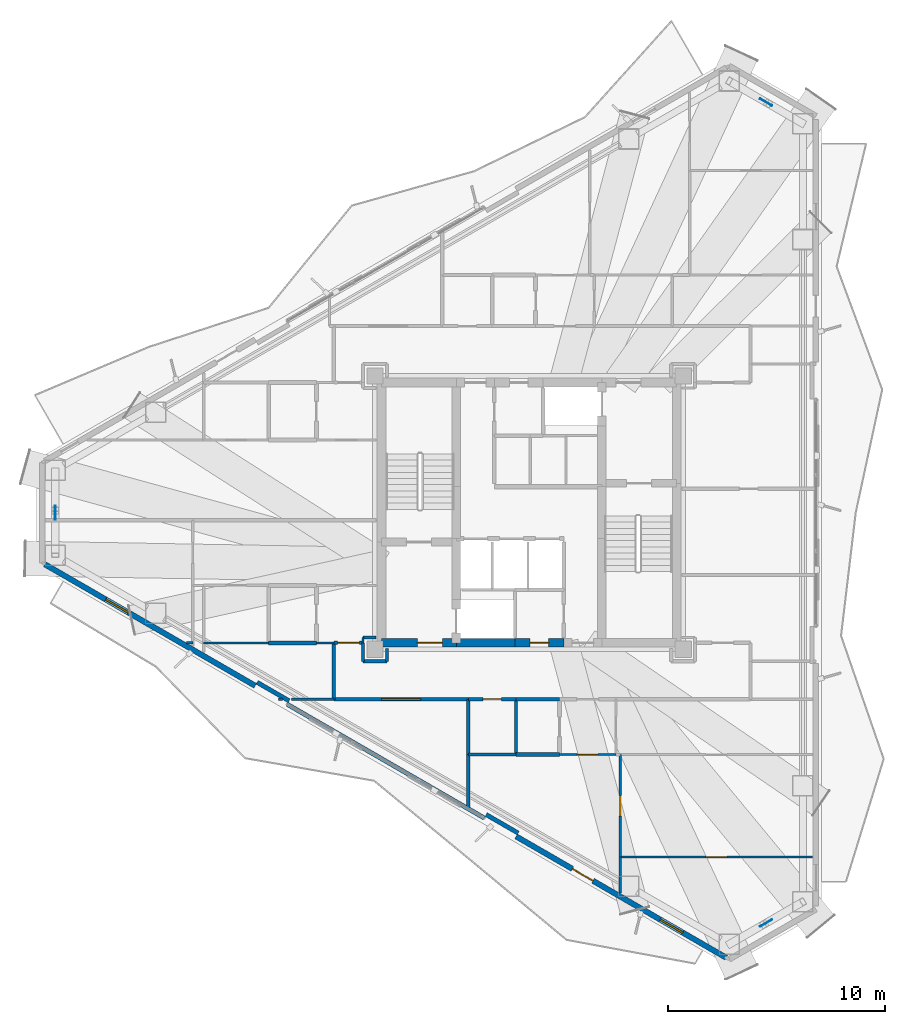
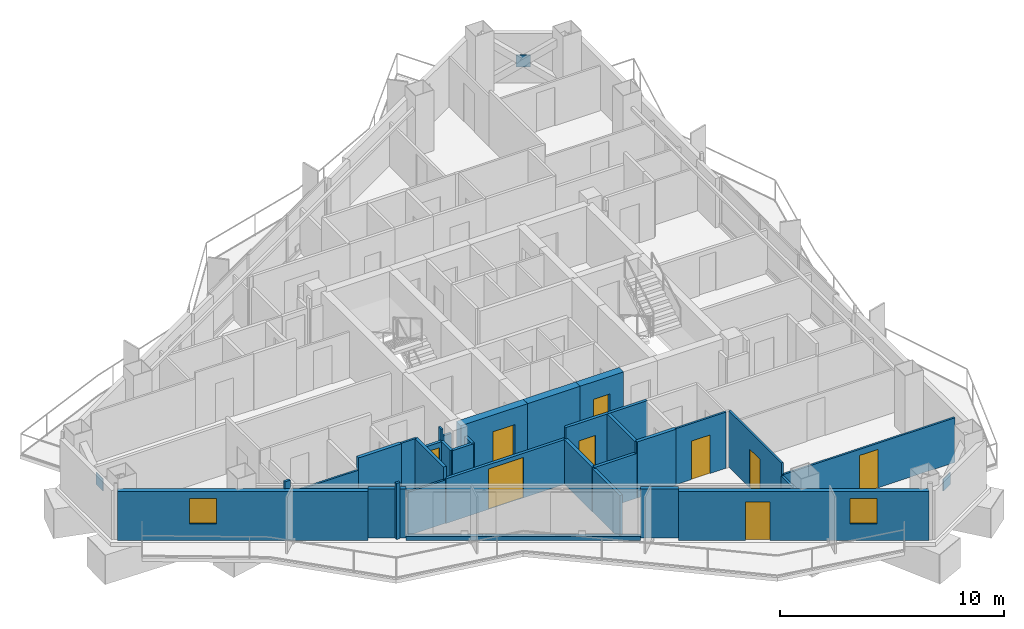
# One storey, part 14 of 21: 33 walls, 9 doors, 3 plates, 2 windows, 11 openings.
"""IFC4 building model written with IfcOpenShell, lengths in metres."""

import ifcopenshell
import ifcopenshell.guid

model = None  # the IFC model being written
_history = None  # IfcOwnerHistory: only IFC2X3 demands one
_inside = {}  # id of a spatial element -> (the spatial element, [elements in it])
_under = {}  # id of a project, library or spatial element -> (it, [spatial elements below it])
_declared = {}  # id of a project -> (the project, [libraries it declares])
_typed = {}  # id of a type object -> (the type object, [elements of that type])
_made_of = {}  # id of a material, layer set ... -> (it, [elements and type objects made of it])


def new_model(schema):
    """Start an empty IFC model of exactly this schema.

    Asked for "IFC4X3", IfcOpenShell would pick the latest addendum, in which some entities
    have other attributes; the version numbers below select the first issue.
    IFC2X3 requires an IfcOwnerHistory on every rooted entity: one is made here for all.
    """
    global model, _history
    if schema == "IFC4X3":
        model = ifcopenshell.file(schema_version=(4, 3, 0, 0))
    else:
        model = ifcopenshell.file(schema=schema)
    _inside.clear()
    _under.clear()
    _declared.clear()
    _typed.clear()
    _made_of.clear()
    _history = None
    if model.schema == "IFC2X3":
        org = make("IfcOrganization", Name="unknown")
        user = make(
            "IfcPersonAndOrganization",
            ThePerson=make("IfcPerson", FamilyName="unknown"),
            TheOrganization=org,
        )
        app = make(
            "IfcApplication",
            ApplicationDeveloper=org,
            Version="unknown",
            ApplicationFullName="unknown",
            ApplicationIdentifier="unknown",
        )
        _history = make(
            "IfcOwnerHistory",
            OwningUser=user,
            OwningApplication=app,
            ChangeAction="ADDED",
            CreationDate=0,
        )
    return model


def make(cls, **values):
    """One entity of the class cls with the attributes given. An attribute that is None is left unset."""
    return model.create_entity(
        cls, **{name: value for name, value in values.items() if value is not None}
    )


def rooted(cls, **values):
    """An entity with a GlobalId (a new one), such as an element, a storey or a relation."""
    return make(cls, GlobalId=ifcopenshell.guid.new(), OwnerHistory=_history, **values)


def si_unit(unit_type, name, prefix=None):
    """IfcSIUnit, for example si_unit("LENGTHUNIT", "METRE", prefix="MILLI")."""
    return make("IfcSIUnit", UnitType=unit_type, Prefix=prefix, Name=name)


def assignment(units):
    """IfcUnitAssignment: the units of a project."""
    return None if units is None else make("IfcUnitAssignment", Units=units)


def point(xyz):
    """IfcCartesianPoint."""
    return None if xyz is None else make("IfcCartesianPoint", Coordinates=xyz)


def direction(xyz):
    """IfcDirection."""
    return None if xyz is None else make("IfcDirection", DirectionRatios=xyz)


def frame(location, z_axis=None, x_axis=None):
    """IfcAxis2Placement3D, a coordinate frame: its origin and axes. An axis left out is left unset."""
    return make(
        "IfcAxis2Placement3D",
        Location=point(location),
        Axis=direction(z_axis),
        RefDirection=direction(x_axis),
    )


def frame_2d(location, x_axis=None):
    """IfcAxis2Placement2D, a coordinate frame in the plane: its origin and x axis."""
    return make(
        "IfcAxis2Placement2D", Location=point(location), RefDirection=direction(x_axis)
    )


def origin():
    """The frame at (0, 0, 0) with its axes left unset."""
    return frame((0.0, 0.0, 0.0))


def origin_2d():
    """The frame at (0, 0) in the plane with its x axis left unset."""
    return frame_2d((0.0, 0.0))


def place(relative_to, where):
    """IfcLocalPlacement: puts the frame where relative to a parent placement (None: the world)."""
    return make(
        "IfcLocalPlacement", PlacementRelTo=relative_to, RelativePlacement=where
    )


def context(
    kind, dimensions, precision=None, world=None, true_north=None, identifier=None
):
    """IfcGeometricRepresentationContext, for example the 3D "Model" context."""
    return make(
        "IfcGeometricRepresentationContext",
        ContextIdentifier=identifier,
        ContextType=kind,
        CoordinateSpaceDimension=dimensions,
        Precision=precision,
        WorldCoordinateSystem=world,
        TrueNorth=true_north,
    )


def subcontext(parent, identifier, kind, view, scale=None):
    """IfcGeometricRepresentationSubContext, for example "Body" below "Model"."""
    return make(
        "IfcGeometricRepresentationSubContext",
        ContextIdentifier=identifier,
        ContextType=kind,
        ParentContext=parent,
        TargetScale=scale,
        TargetView=view,
    )


def project(units=None, contexts=None):
    """IfcProject with its units and contexts."""
    return rooted(
        "IfcProject",
        Name="project",
        RepresentationContexts=contexts,
        UnitsInContext=assignment(units),
    )


def spatial(cls, under=None, at=None, **own):
    """A site, building, storey or space (cls), placed at a placement, below another one or the project."""
    s = rooted(cls, ObjectPlacement=at, **own)
    if under is not None:
        _under.setdefault(under.id(), (under, []))[1].append(s)
    return s


def profile(cls, at=None, kind="AREA", **sizes):
    """A parametric profile (cls). Its sizes go by their IFC names, for example OverallWidth=200.0."""
    return make(cls, ProfileType=kind, Position=at, **sizes)


def rectangle(**sizes):
    """IfcRectangleProfileDef."""
    return profile("IfcRectangleProfileDef", **sizes)


def extrude(swept, where, along, depth):
    """IfcExtrudedAreaSolid: the profile swept, set in the frame where, extruded along a direction by depth."""
    return make(
        "IfcExtrudedAreaSolid",
        SweptArea=swept,
        Position=where,
        ExtrudedDirection=direction(along),
        Depth=depth,
    )


def shape(context_of_items, identifier, shape_type, items):
    """IfcShapeRepresentation: the items that make up one representation, for example the "Body"."""
    return make(
        "IfcShapeRepresentation",
        ContextOfItems=context_of_items,
        RepresentationIdentifier=identifier,
        RepresentationType=shape_type,
        Items=items,
    )


def material(Name=None, Category=None):
    """IfcMaterial."""
    return make("IfcMaterial", Name=Name, Category=Category)


def layer(
    of_material, thickness, ventilated=None, Name=None, Category=None, Priority=None
):
    """IfcMaterialLayer: one layer of a wall or slab, of a material (None: an air gap)."""
    return make(
        "IfcMaterialLayer",
        Material=of_material,
        LayerThickness=thickness,
        IsVentilated=ventilated,
        Name=Name,
        Category=Category,
        Priority=Priority,
    )


def layer_set(layers, Name=None):
    """IfcMaterialLayerSet."""
    return make("IfcMaterialLayerSet", MaterialLayers=layers, LayerSetName=Name)


def made_of(thing, what):
    """Note that an element or type object is made of a material, layer set ...; save() writes the relation."""
    if what is not None:
        _made_of.setdefault(what.id(), (what, []))[1].append(thing)
    return thing


def type_object(cls, material=None, **own):
    """A type object (cls), such as IfcWallType, which elements share."""
    return made_of(rooted(cls, **own), material)


def element(
    cls,
    number,
    at=None,
    inside=None,
    cuts=None,
    type_object=None,
    material=None,
    context=None,
    identifier="Body",
    shape_type=None,
    held_by="IfcProductDefinitionShape",
    body=None,
    shapes=None,
    **own,
):
    """One element of the class cls, such as IfcWall. Its Tag is "e" and its number.

    at: its placement. inside: the storey or other place that contains it. cuts: it is an
    opening in that element (IfcRelVoidsElement). A single representation is given by context,
    identifier, shape_type and body (its items); several are given by shapes. held_by: the class
    of the entity that holds the representations. save() writes the other relations.
    """
    e = rooted(cls, Tag="e%d" % number, ObjectPlacement=at, **own)
    if body is not None:
        shapes = [shape(context, identifier, shape_type, body)]
    if shapes is not None:
        e.Representation = make(held_by, Representations=shapes)
    if inside is not None:
        _inside.setdefault(inside.id(), (inside, []))[1].append(e)
    if cuts is not None:
        rooted(
            "IfcRelVoidsElement", RelatingBuildingElement=cuts, RelatedOpeningElement=e
        )
    if type_object is not None:
        _typed.setdefault(type_object.id(), (type_object, []))[1].append(e)
    return made_of(e, material)


def fill(opening, filler):
    """IfcRelFillsElement: the door or window that sits in an opening."""
    return rooted(
        "IfcRelFillsElement",
        RelatingOpeningElement=opening,
        RelatedBuildingElement=filler,
    )


def aggregate(whole, parts):
    """IfcRelAggregates: a whole, such as a stair, and the parts it consists of."""
    return rooted("IfcRelAggregates", RelatingObject=whole, RelatedObjects=parts)


def save(model, path):
    """Write the relations noted so far, then the file.

    IfcRelAggregates (storeys below a building ...), IfcRelContainedInSpatialStructure (elements
    in a storey), IfcRelDefinesByType, IfcRelAssociatesMaterial and IfcRelDeclares: one each for
    every whole, place, type object, material and project.
    """
    for whole, parts in _under.values():
        aggregate(whole, parts)
    for where, things in _inside.values():
        rooted(
            "IfcRelContainedInSpatialStructure",
            RelatedElements=things,
            RelatingStructure=where,
        )
    for kind, things in _typed.values():
        rooted("IfcRelDefinesByType", RelatedObjects=things, RelatingType=kind)
    for what, things in _made_of.values():
        rooted("IfcRelAssociatesMaterial", RelatedObjects=things, RelatingMaterial=what)
    for by, libraries in _declared.values():
        rooted("IfcRelDeclares", RelatingContext=by, RelatedDefinitions=libraries)
    model.write(path)


model = new_model("IFC4")

# Units and contexts
model_context = context("Model", 3, precision=1e-05, world=origin(), true_north=direction((0.0, 1.0)))
body_context = subcontext(model_context, "Body", "Model", "MODEL_VIEW")
ifc_project = project(units=[si_unit("LENGTHUNIT", "METRE"), si_unit("AREAUNIT", "SQUARE_METRE"), si_unit("VOLUMEUNIT", "CUBIC_METRE"), si_unit("PLANEANGLEUNIT", "RADIAN"), si_unit("MASSUNIT", "GRAM", prefix="KILO")], contexts=[model_context])

# Site, building, storey
site_placement = place(None, origin())
site = spatial("IfcSite", under=ifc_project, at=site_placement, CompositionType="ELEMENT")
building_placement = place(site_placement, origin())
building = spatial("IfcBuilding", under=site, at=building_placement, Name="Mersakhor Tower and Convention Hall", CompositionType="ELEMENT")
storey_placement = place(building_placement, frame((0.0, 0.0, 121.199951171875)))
storey = spatial("IfcBuildingStorey", under=building, at=storey_placement, Name="L33", CompositionType="ELEMENT", Elevation=121.199951171875)

# Plates
ifc_material_1 = material(Name="Steel S460", Category="steel")
ifc_layer_1 = layer(ifc_material_1, 0.0400390625)
ifc_layer_set_1 = layer_set([ifc_layer_1], Name="Steel S460")
plate_type = type_object("IfcPlateType", Name="PL-GUSSET-40", PredefinedType="SHEET", material=ifc_layer_set_1)
for number, where, z_axis, x_axis, name in (
    (1, (39.919921875, 45.663818359375, 1.2099609375), (0.0, 0.0, 1.0), (-0.866025403784, 0.5, 0.0), "L33 X-Brace Crossing Gusset Node Plate"),
    (2, (39.919921875, 7.836181640625, 1.2099609375), (0.0, 0.0, 1.0), (0.866025403784, 0.5, 0.0), "L33 X-Brace Crossing Gusset Node Plate"),
    (3, (7.160400390625, 26.75, 1.2099609375), (0.0, 0.0, 1.0), (0.0, -1.0, 0.0), "L33 X-Brace Crossing Gusset Node Plate"),
):
    element("IfcPlate", number, at=place(storey_placement, frame(where, z_axis=z_axis, x_axis=x_axis)), inside=storey, type_object=plate_type, Name=name, PredefinedType="SHEET", context=body_context, shape_type="SweptSolid", body=[
        extrude(rectangle(XDim=0.639892578125, YDim=0.0400390625, at=origin_2d()), origin(), (0.0, 0.0, 1.0), 0.639892578125),
    ])

# Wall, openings, door, window
ifc_material_2 = material(Name="Precast concrete C40/50", Category="concrete")
ifc_layer_2 = layer(ifc_material_2, 0.25)
ifc_layer_set_2 = layer_set([ifc_layer_2], Name="Precast concrete C40/50")
wall_type_1 = type_object("IfcWallType", Name="WL-EXT-250", PredefinedType="SOLIDWALL", material=ifc_layer_set_2)
wall_1_placement = place(storey_placement, frame((38.090576171875, 6.2373046875, 0.0), z_axis=(0.0, 0.0, 1.0), x_axis=(-0.86602239209, 0.500005216371, 0.0)))
wall_1 = element("IfcWall", 4, at=wall_1_placement, inside=storey, type_object=wall_type_1, Name="L33 Exterior Facade Wall F3-B1", PredefinedType="SOLIDWALL", context=body_context, shape_type="SweptSolid", body=[
    extrude(rectangle(XDim=11.18603515625, YDim=0.25, at=frame_2d((5.593017578125, 0.0))), origin(), (0.0, 0.0, 1.0), 2.679931640625),
])
opening_1_placement = place(wall_1_placement, frame((7.094970703125, 0.0, 0.0)))
opening_1 = element("IfcOpeningElement", 5, at=opening_1_placement, cuts=wall_1, Name="Opening BD-02", PredefinedType="OPENING", context=body_context, shape_type="SweptSolid", body=[
    extrude(rectangle(XDim=1.10009765625, YDim=2.10009765625, at=frame_2d((0.550048828125, 1.050048828125))), frame((0.0, 0.135009765625, 0.0), z_axis=(0.0, -1.0, 0.0), x_axis=(1.0, 0.0, 0.0)), (0.0, 0.0, 1.0), 0.27001953125),
])
opening_2_placement = place(wall_1_placement, frame((2.322021484375, 0.0, 0.89990234375)))
opening_2 = element("IfcOpeningElement", 6, at=opening_2_placement, cuts=wall_1, Name="Opening W-01", PredefinedType="OPENING", context=body_context, shape_type="SweptSolid", body=[
    extrude(rectangle(XDim=1.199951171875, YDim=1.39990234375, at=frame_2d((0.60009765625, 0.699951171875))), frame((0.0, 0.135009765625, 0.0), z_axis=(0.0, -1.0, 0.0), x_axis=(1.0, 0.0, 0.0)), (0.0, 0.0, 1.0), 0.27001953125),
])
ifc_material_3 = material(Name="Thermally broken dark aluminium and safety glass", Category="aluminium")
door_type_1 = type_object("IfcDoorType", Name="DR-BAL-110x210", OperationType="NOTDEFINED", PredefinedType="DOOR", material=ifc_material_3)
door_1_placement = place(opening_1_placement, origin())
door_1 = element("IfcDoor", 7, at=door_1_placement, inside=storey, type_object=door_type_1, Name="L33 Balcony Terrace Door F3-B1", OperationType="SINGLE_SWING_RIGHT", OverallHeight=2.10009765625, OverallWidth=1.10009765625, PredefinedType="DOOR", context=body_context, shape_type="SweptSolid", body=[
    extrude(rectangle(XDim=1.10009765625, YDim=2.10009765625, at=frame_2d((0.550048828125, 1.050048828125))), frame((0.0, 0.02490234375, 0.0), z_axis=(0.0, -1.0, 0.0), x_axis=(1.0, 0.0, 0.0)), (0.0, 0.0, 1.0), 0.050048828125),
])
fill(opening_1, door_1)
ifc_material_4 = material(Name="Dark solar low-E glazed aluminium window", Category="aluminium")
window_type = type_object("IfcWindowType", Name="WN-RES-120x150", PartitioningType="SINGLE_PANEL", PredefinedType="WINDOW", material=ifc_material_4)
window_1_placement = place(opening_2_placement, origin())
window_1 = element("IfcWindow", 8, at=window_1_placement, inside=storey, type_object=window_type, Name="L33 Bedroom Facade Window F3-B1-1", OverallHeight=1.39990234375, OverallWidth=1.199951171875, PartitioningType="SINGLE_PANEL", PredefinedType="WINDOW", context=body_context, shape_type="SweptSolid", body=[
    extrude(rectangle(XDim=1.199951171875, YDim=1.39990234375, at=frame_2d((0.60009765625, 0.699951171875))), frame((0.0, 0.030029296875, 0.0), z_axis=(0.0, -1.0, 0.0), x_axis=(1.0, 0.0, 0.0)), (0.0, 0.0, 1.0), 0.06005859375),
])
fill(opening_2, window_1)

# Wall, opening, window
wall_2_placement = place(storey_placement, frame((16.377685546875, 18.773193359375, 0.0), z_axis=(0.0, 0.0, 1.0), x_axis=(-0.866027848477, 0.499995765644, 0.0)))
wall_2 = element("IfcWall", 9, at=wall_2_placement, inside=storey, type_object=wall_type_1, Name="L33 Exterior Facade Wall F3-B3", PredefinedType="SOLIDWALL", context=body_context, shape_type="SweptSolid", body=[
    extrude(rectangle(XDim=11.18603515625, YDim=0.25, at=frame_2d((5.593017578125, 0.0))), origin(), (0.0, 0.0, 1.0), 2.679931640625),
])
opening_3_placement = place(wall_2_placement, frame((6.757080078125, 0.0, 0.89990234375)))
opening_3 = element("IfcOpeningElement", 10, at=opening_3_placement, cuts=wall_2, Name="Opening W-01", PredefinedType="OPENING", context=body_context, shape_type="SweptSolid", body=[
    extrude(rectangle(XDim=1.199951171875, YDim=1.39990234375, at=frame_2d((0.60009765625, 0.699951171875))), frame((0.0, 0.135009765625, 0.0), z_axis=(0.0, -1.0, 0.0), x_axis=(1.0, 0.0, 0.0)), (0.0, 0.0, 1.0), 0.27001953125),
])
window_2_placement = place(opening_3_placement, origin())
window_2 = element("IfcWindow", 11, at=window_2_placement, inside=storey, type_object=window_type, Name="L33 Bedroom Facade Window F3-B3-1", OverallHeight=1.39990234375, OverallWidth=1.199951171875, PartitioningType="SINGLE_PANEL", PredefinedType="WINDOW", context=body_context, shape_type="SweptSolid", body=[
    extrude(rectangle(XDim=1.199951171875, YDim=1.39990234375, at=frame_2d((0.60009765625, 0.699951171875))), frame((0.0, 0.030029296875, 0.0), z_axis=(0.0, -1.0, 0.0), x_axis=(1.0, 0.0, 0.0)), (0.0, 0.0, 1.0), 0.06005859375),
])
fill(opening_3, window_2)

# Walls
ifc_material_5 = material(Name="Precast concrete C40/50", Category="concrete")
ifc_layer_3 = layer(ifc_material_5, 0.199951171875)
ifc_layer_set_3 = layer_set([ifc_layer_3], Name="Precast concrete C40/50")
wall_type_2 = type_object("IfcWallType", Name="WL-PAR-200", PredefinedType="PARAPET", material=ifc_layer_set_3)
wall_3_placement = place(storey_placement, frame((26.930908203125, 12.680419921875, 0.0), z_axis=(0.0, 0.0, 1.0), x_axis=(-0.866026619769, 0.499997893847, 0.0)))
element("IfcWall", 12, at=wall_3_placement, inside=storey, type_object=wall_type_2, Name="L33 Curtain Wall Upstand Sill F3-B2", PredefinedType="PARAPET", context=body_context, shape_type="SweptSolid", body=[
    extrude(rectangle(XDim=10.48583984375, YDim=0.199951171875, at=frame_2d((5.242919921875, 0.0))), origin(), (0.0, 0.0, 1.0), 0.199951171875),
])
for number, where, z_axis, x_axis, name in (
    (13, (28.4931640625, 11.986328125, 0.0), (0.0, 0.0, 1.0), (-0.86605165483, 0.499954529098, 0.0), "L33 Column Pier Cladding Wall F3-C1"),
    (14, (17.939697265625, 18.0791015625, 0.0), (0.0, 0.0, 1.0), (-0.865989465428, 0.500062241894, 0.0), "L33 Column Pier Cladding Wall F3-C2"),
):
    element("IfcWall", number, at=place(storey_placement, frame(where, z_axis=z_axis, x_axis=x_axis)), inside=storey, type_object=wall_type_2, Name=name, PredefinedType="PARAPET", context=body_context, shape_type="SweptSolid", body=[
        extrude(rectangle(XDim=1.699951171875, YDim=0.199951171875, at=frame_2d((0.85009765625, 0.0))), origin(), (0.0, 0.0, 1.0), 2.679931640625),
    ])
ifc_material_6 = material(Name="Moisture-resistant acoustic drywall studwork", Category="other")
ifc_layer_4 = layer(ifc_material_6, 0.175048828125)
ifc_layer_set_4 = layer_set([ifc_layer_4], Name="Moisture-resistant acoustic drywall studwork")
wall_type_3 = type_object("IfcWallType", Name="WL-PLM-175", PredefinedType="PLUMBINGWALL", material=ifc_layer_set_4)
wall_4_placement = place(storey_placement, frame((26.199951171875, 15.60009765625, 0.0), z_axis=(0.0, 0.0, 1.0), x_axis=(0.0, 1.0, 0.0)))
element("IfcWall", 15, at=wall_4_placement, inside=storey, type_object=wall_type_3, Name="L33 Interior Partition Wall P-073", PredefinedType="PLUMBINGWALL", context=body_context, shape_type="SweptSolid", body=[
    extrude(rectangle(XDim=2.5498046875, YDim=0.175048828125, at=frame_2d((1.27490234375, 0.0))), origin(), (0.0, 0.0, 1.0), 2.432861328125),
])
wall_5_placement = place(storey_placement, frame((30.39990234375, 15.60009765625, 0.0), z_axis=(0.0, 0.0, 1.0), x_axis=(-1.0, 0.0, 0.0)))
element("IfcWall", 16, at=wall_5_placement, inside=storey, type_object=wall_type_3, Name="L33 Interior Partition Wall P-078", PredefinedType="PLUMBINGWALL", context=body_context, shape_type="SweptSolid", body=[
    extrude(rectangle(XDim=2.0, YDim=0.175048828125, at=frame_2d((1.0, 0.0))), origin(), (0.0, 0.0, 1.0), 3.06005859375),
])
wall_6_placement = place(storey_placement, frame((19.199951171875, 20.75, 0.0), z_axis=(0.0, 0.0, 1.0), x_axis=(-1.0, 0.0, 0.0)))
element("IfcWall", 17, at=wall_6_placement, inside=storey, type_object=wall_type_3, Name="L33 Interior Partition Wall P-089", PredefinedType="PLUMBINGWALL", context=body_context, shape_type="SweptSolid", body=[
    extrude(rectangle(XDim=2.199951171875, YDim=0.175048828125, at=frame_2d((1.10009765625, 0.0))), origin(), (0.0, 0.0, 1.0), 3.06005859375),
])

# Wall, opening, door
ifc_material_7 = material(Name="Lightweight gypsum partition", Category="other")
ifc_layer_5 = layer(ifc_material_7, 0.10009765625)
ifc_layer_set_5 = layer_set([ifc_layer_5], Name="Lightweight gypsum partition")
wall_type_4 = type_object("IfcWallType", Name="WL-PRT-100", PredefinedType="PARTITIONING", material=ifc_layer_set_5)
wall_7_placement = place(storey_placement, frame((33.0, 15.60009765625, 0.0), z_axis=(0.0, 0.0, 1.0), x_axis=(-1.0, 0.0, 0.0)))
wall_7 = element("IfcWall", 18, at=wall_7_placement, inside=storey, type_object=wall_type_4, Name="L33 Interior Partition Wall P-056", PredefinedType="PARTITIONING", context=body_context, shape_type="SweptSolid", body=[
    extrude(rectangle(XDim=2.60009765625, YDim=0.10009765625, at=frame_2d((1.300048828125, 0.0))), origin(), (0.0, 0.0, 1.0), 3.06005859375),
])
opening_4_placement = place(wall_7_placement, frame((0.824951171875, 0.0, 0.0)))
opening_4 = element("IfcOpeningElement", 19, at=opening_4_placement, cuts=wall_7, Name="Opening RD-01", PredefinedType="OPENING", context=body_context, shape_type="SweptSolid", body=[
    extrude(rectangle(XDim=0.949951171875, YDim=2.10009765625, at=frame_2d((0.47509765625, 1.050048828125))), frame((0.0, 0.06005859375, 0.0), z_axis=(0.0, -1.0, 0.0), x_axis=(1.0, 0.0, 0.0)), (0.0, 0.0, 1.0), 0.1201171875),
])
ifc_material_8 = material(Name="Solid-core hardwood leaf in painted steel frame", Category="steel")
door_type_2 = type_object("IfcDoorType", Name="DR-INT-RM-095x210", OperationType="NOTDEFINED", PredefinedType="DOOR", material=ifc_material_8)
door_2_placement = place(opening_4_placement, origin())
door_2 = element("IfcDoor", 20, at=door_2_placement, inside=storey, type_object=door_type_2, Name="L33 L33 Flat S2 Apartment Hall to L33 Flat S2 Living and Dining Room Door", OperationType="SINGLE_SWING_LEFT", OverallHeight=2.10009765625, OverallWidth=0.949951171875, PredefinedType="DOOR", context=body_context, shape_type="SweptSolid", body=[
    extrude(rectangle(XDim=0.949951171875, YDim=2.10009765625, at=frame_2d((0.47509765625, 1.050048828125))), frame((0.0, 0.02490234375, 0.0), z_axis=(0.0, -1.0, 0.0), x_axis=(1.0, 0.0, 0.0)), (0.0, 0.0, 1.0), 0.050048828125),
])
fill(opening_4, door_2)

# Walls
wall_8_placement = place(storey_placement, frame((20.0, 20.75, 0.0), z_axis=(0.0, 0.0, 1.0), x_axis=(-1.0, 0.0, 0.0)))
element("IfcWall", 21, at=wall_8_placement, inside=storey, type_object=wall_type_4, Name="L33 Interior Partition Wall P-064", PredefinedType="PARTITIONING", context=body_context, shape_type="SweptSolid", body=[
    extrude(rectangle(XDim=0.800048828125, YDim=0.10009765625, at=frame_2d((0.39990234375, 0.0))), origin(), (0.0, 0.0, 1.0), 3.06005859375),
])
wall_9_placement = place(storey_placement, frame((21.35009765625, 21.0, 0.0), z_axis=(0.0, 0.0, 1.0), x_axis=(0.0, -1.0, 0.0)))
element("IfcWall", 22, at=wall_9_placement, inside=storey, type_object=wall_type_4, Name="L33 Interior Partition Wall P-068", PredefinedType="PARTITIONING", context=body_context, shape_type="SweptSolid", body=[
    extrude(rectangle(XDim=0.25, YDim=0.10009765625, at=frame_2d((0.125, 0.0))), origin(), (0.0, 0.0, 1.0), 3.06005859375),
])
wall_10_placement = place(storey_placement, frame((17.0, 20.75, 0.0), z_axis=(0.0, 0.0, 1.0), x_axis=(-1.0, 0.0, 0.0)))
element("IfcWall", 23, at=wall_10_placement, inside=storey, type_object=wall_type_4, Name="L33 Interior Partition Wall P-092", PredefinedType="PARTITIONING", context=body_context, shape_type="SweptSolid", body=[
    extrude(rectangle(XDim=3.0, YDim=0.10009765625, at=frame_2d((1.5, 0.0))), origin(), (0.0, 0.0, 1.0), 2.364990234375),
])
wall_11_placement = place(storey_placement, frame((18.04248046875, 18.14990234375, 0.0), z_axis=(0.0, 0.0, 1.0), x_axis=(1.0, 0.0, 0.0)))
element("IfcWall", 24, at=wall_11_placement, inside=storey, type_object=wall_type_4, Name="L33 Interior Partition Wall P-098", PredefinedType="PARTITIONING", context=body_context, shape_type="SweptSolid", body=[
    extrude(rectangle(XDim=1.95751953125, YDim=0.10009765625, at=frame_2d((0.978759765625, 0.0))), origin(), (0.0, 0.0, 1.0), 2.364990234375),
])

# Wall, opening, door
wall_12_placement = place(storey_placement, frame((33.199951171875, 15.60009765625, 0.0), z_axis=(0.0, 0.0, 1.0), x_axis=(0.0, -1.0, 0.0)))
wall_12 = element("IfcWall", 25, at=wall_12_placement, inside=storey, type_object=wall_type_4, Name="L33 Interior Partition Wall P-118", PredefinedType="PARTITIONING", context=body_context, shape_type="SweptSolid", body=[
    extrude(rectangle(XDim=4.72021484375, YDim=0.10009765625, at=frame_2d((2.360107421875, 0.0))), origin(), (0.0, 0.0, 1.0), 3.06005859375),
])
opening_5_placement = place(wall_12_placement, frame((1.885009765625, 0.0, 0.0)))
opening_5 = element("IfcOpeningElement", 26, at=opening_5_placement, cuts=wall_12, Name="Opening RD-01", PredefinedType="OPENING", context=body_context, shape_type="SweptSolid", body=[
    extrude(rectangle(XDim=0.949951171875, YDim=2.10009765625, at=frame_2d((0.47509765625, 1.050048828125))), frame((0.0, 0.06005859375, 0.0), z_axis=(0.0, -1.0, 0.0), x_axis=(1.0, 0.0, 0.0)), (0.0, 0.0, 1.0), 0.1201171875),
])
door_3_placement = place(opening_5_placement, origin())
door_3 = element("IfcDoor", 27, at=door_3_placement, inside=storey, type_object=door_type_2, Name="L33 L33 Flat S2 Living and Dining Room to L33 Flat S2 Dining Room Door", OperationType="SINGLE_SWING_LEFT", OverallHeight=2.10009765625, OverallWidth=0.949951171875, PredefinedType="DOOR", context=body_context, shape_type="SweptSolid", body=[
    extrude(rectangle(XDim=0.949951171875, YDim=2.10009765625, at=frame_2d((0.47509765625, 1.050048828125))), frame((0.0, 0.02490234375, 0.0), z_axis=(0.0, -1.0, 0.0), x_axis=(1.0, 0.0, 0.0)), (0.0, 0.0, 1.0), 0.050048828125),
])
fill(opening_5, door_3)

wall_13_placement = place(storey_placement, frame((33.199951171875, 10.8798828125, 0.0), z_axis=(0.0, 0.0, 1.0), x_axis=(1.0, 0.0, 0.0)))
wall_13 = element("IfcWall", 28, at=wall_13_placement, inside=storey, type_object=wall_type_4, Name="L33 Interior Partition Wall P-120", PredefinedType="PARTITIONING", context=body_context, shape_type="SweptSolid", body=[
    extrude(rectangle(XDim=8.870361328125, YDim=0.10009765625, at=frame_2d((4.43505859375, 0.0))), origin(), (0.0, 0.0, 1.0), 2.432861328125),
])
opening_6_placement = place(wall_13_placement, frame((3.960205078125, 0.0, 0.0)))
opening_6 = element("IfcOpeningElement", 29, at=opening_6_placement, cuts=wall_13, Name="Opening RD-01", PredefinedType="OPENING", context=body_context, shape_type="SweptSolid", body=[
    extrude(rectangle(XDim=0.949951171875, YDim=2.10009765625, at=frame_2d((0.47509765625, 1.050048828125))), frame((0.0, 0.06005859375, 0.0), z_axis=(0.0, -1.0, 0.0), x_axis=(1.0, 0.0, 0.0)), (0.0, 0.0, 1.0), 0.1201171875),
])
door_4_placement = place(opening_6_placement, origin())
door_4 = element("IfcDoor", 30, at=door_4_placement, inside=storey, type_object=door_type_2, Name="L33 L33 Flat S2 Bedroom 1 to L33 Flat S2 Dining Room Door", OperationType="SINGLE_SWING_RIGHT", OverallHeight=2.10009765625, OverallWidth=0.949951171875, PredefinedType="DOOR", context=body_context, shape_type="SweptSolid", body=[
    extrude(rectangle(XDim=0.949951171875, YDim=2.10009765625, at=frame_2d((0.47509765625, 1.050048828125))), frame((0.0, 0.02490234375, 0.0), z_axis=(0.0, -1.0, 0.0), x_axis=(1.0, 0.0, 0.0)), (0.0, 0.0, 1.0), 0.050048828125),
])
fill(opening_6, door_4)

# Walls
ifc_material_9 = material(Name="Gypsum board acoustic partition", Category="other")
ifc_layer_6 = layer(ifc_material_9, 0.125)
ifc_layer_set_6 = layer_set([ifc_layer_6], Name="Gypsum board acoustic partition")
wall_type_5 = type_object("IfcWallType", Name="WL-PRT-125", PredefinedType="PARTITIONING", material=ifc_layer_set_6)
wall_14_placement = place(storey_placement, frame((21.949951171875, 21.0, 0.0), z_axis=(0.0, 0.0, 1.0), x_axis=(-1.0, 0.0, 0.0)))
element("IfcWall", 31, at=wall_14_placement, inside=storey, type_object=wall_type_5, Name="L33 Interior Partition Wall P-067", PredefinedType="PARTITIONING", context=body_context, shape_type="SweptSolid", body=[
    extrude(rectangle(XDim=0.599853515625, YDim=0.125, at=frame_2d((0.2998046875, 0.0))), origin(), (0.0, 0.0, 1.0), 2.50830078125),
])
wall_15_placement = place(storey_placement, frame((17.45703125, 18.14990234375, 0.0), z_axis=(0.0, 0.0, 1.0), x_axis=(1.0, 0.0, 0.0)))
element("IfcWall", 32, at=wall_15_placement, inside=storey, type_object=wall_type_5, Name="L33 Interior Partition Wall P-097", PredefinedType="PARTITIONING", context=body_context, shape_type="SweptSolid", body=[
    extrude(rectangle(XDim=0.18505859375, YDim=0.125, at=frame_2d((0.092529296875, 0.0))), origin(), (0.0, 0.0, 1.0), 3.06005859375),
])
wall_16_placement = place(storey_placement, frame((33.199951171875, 10.8798828125, 0.0), z_axis=(0.0, 0.0, 1.0), x_axis=(0.0, -1.0, 0.0)))
element("IfcWall", 33, at=wall_16_placement, inside=storey, type_object=wall_type_5, Name="L33 Interior Partition Wall P-119", PredefinedType="PARTITIONING", context=body_context, shape_type="SweptSolid", body=[
    extrude(rectangle(XDim=1.64697265625, YDim=0.125, at=frame_2d((0.823486328125, 0.0))), origin(), (0.0, 0.0, 1.0), 2.364990234375),
])
wall_17_placement = place(storey_placement, frame((13.5, 20.75, 0.0), z_axis=(0.0, 0.0, 1.0), x_axis=(-1.0, 0.0, 0.0)))
element("IfcWall", 34, at=wall_17_placement, inside=storey, type_object=wall_type_5, Name="L33 Interior Partition Wall P-129", PredefinedType="PARTITIONING", context=body_context, shape_type="SweptSolid", body=[
    extrude(rectangle(XDim=0.293212890625, YDim=0.125, at=frame_2d((0.146484375, 0.0))), origin(), (0.0, 0.0, 1.0), 3.06005859375),
])
ifc_material_10 = material(Name="Fire-rated gypsum board stud partition", Category="other")
ifc_layer_7 = layer(ifc_material_10, 0.14990234375)
ifc_layer_set_7 = layer_set([ifc_layer_7], Name="Fire-rated gypsum board stud partition")
wall_type_6 = type_object("IfcWallType", Name="WL-PRT-150", PredefinedType="PARTITIONING", material=ifc_layer_set_7)
wall_18_placement = place(storey_placement, frame((22.449951171875, 19.89990234375, 0.0), z_axis=(0.0, 0.0, 1.0), x_axis=(0.0, 1.0, 0.0)))
element("IfcWall", 35, at=wall_18_placement, inside=storey, type_object=wall_type_6, Name="L33 Interior Partition Wall P-036", PredefinedType="PARTITIONING", context=body_context, shape_type="SweptSolid", body=[
    extrude(rectangle(XDim=0.60009765625, YDim=0.14990234375, at=frame_2d((0.300048828125, 0.0))), origin(), (0.0, 0.0, 1.0), 2.432861328125),
])
wall_19_placement = place(storey_placement, frame((30.39990234375, 18.14990234375, 0.0), z_axis=(0.0, 0.0, 1.0), x_axis=(-1.0, 0.0, 0.0)))
element("IfcWall", 36, at=wall_19_placement, inside=storey, type_object=wall_type_6, Name="L33 Interior Partition Wall P-045", PredefinedType="PARTITIONING", context=body_context, shape_type="SweptSolid", body=[
    extrude(rectangle(XDim=2.0, YDim=0.14990234375, at=frame_2d((1.0, 0.0))), origin(), (0.0, 0.0, 1.0), 3.06005859375),
])

# Wall, opening, door
wall_20_placement = place(storey_placement, frame((28.39990234375, 18.14990234375, 0.0), z_axis=(0.0, 0.0, 1.0), x_axis=(-1.0, 0.0, 0.0)))
wall_20 = element("IfcWall", 37, at=wall_20_placement, inside=storey, type_object=wall_type_6, Name="L33 Interior Partition Wall P-046", PredefinedType="PARTITIONING", context=body_context, shape_type="SweptSolid", body=[
    extrude(rectangle(XDim=2.199951171875, YDim=0.14990234375, at=frame_2d((1.10009765625, 0.0))), origin(), (0.0, 0.0, 1.0), 3.06005859375),
])
opening_7_placement = place(wall_20_placement, frame((0.675048828125, 0.0, 0.0)))
opening_7 = element("IfcOpeningElement", 38, at=opening_7_placement, cuts=wall_20, Name="Opening SVD-01", PredefinedType="OPENING", context=body_context, shape_type="SweptSolid", body=[
    extrude(rectangle(XDim=0.85009765625, YDim=2.10009765625, at=frame_2d((0.425048828125, 1.050048828125))), frame((0.0, 0.0849609375, 0.0), z_axis=(0.0, -1.0, 0.0), x_axis=(1.0, 0.0, 0.0)), (0.0, 0.0, 1.0), 0.169921875),
])
ifc_material_11 = material(Name="Fire-rated hardwood leaf and painted steel frame", Category="steel")
door_type_3 = type_object("IfcDoorType", Name="DR-INT-SVC-085x210", OperationType="NOTDEFINED", PredefinedType="DOOR", material=ifc_material_11)
door_5_placement = place(opening_7_placement, origin())
door_5 = element("IfcDoor", 39, at=door_5_placement, inside=storey, type_object=door_type_3, Name="L33 Residential South Gallery Corridor to L33 South Wing Public Toilet WC Door", OperationType="SINGLE_SWING_RIGHT", OverallHeight=2.10009765625, OverallWidth=0.85009765625, PredefinedType="DOOR", context=body_context, shape_type="SweptSolid", body=[
    extrude(rectangle(XDim=0.85009765625, YDim=2.10009765625, at=frame_2d((0.425048828125, 1.050048828125))), frame((0.0, 0.02490234375, 0.0), z_axis=(0.0, -1.0, 0.0), x_axis=(1.0, 0.0, 0.0)), (0.0, 0.0, 1.0), 0.050048828125),
])
fill(opening_7, door_5)

wall_21_placement = place(storey_placement, frame((26.199951171875, 18.14990234375, 0.0), z_axis=(0.0, 0.0, 1.0), x_axis=(-1.0, 0.0, 0.0)))
wall_21 = element("IfcWall", 40, at=wall_21_placement, inside=storey, type_object=wall_type_6, Name="L33 Interior Partition Wall P-047", PredefinedType="PARTITIONING", context=body_context, shape_type="SweptSolid", body=[
    extrude(rectangle(XDim=6.199951171875, YDim=0.14990234375, at=frame_2d((3.10009765625, 0.0))), origin(), (0.0, 0.0, 1.0), 2.432861328125),
])
opening_8_placement = place(wall_21_placement, frame((2.199951171875, 0.0, 0.0)))
opening_8 = element("IfcOpeningElement", 41, at=opening_8_placement, cuts=wall_21, Name="Opening HD-01", PredefinedType="OPENING", context=body_context, shape_type="SweptSolid", body=[
    extrude(rectangle(XDim=1.800048828125, YDim=2.199951171875, at=frame_2d((0.89990234375, 1.10009765625))), frame((0.0, 0.0849609375, 0.0), z_axis=(0.0, -1.0, 0.0), x_axis=(1.0, 0.0, 0.0)), (0.0, 0.0, 1.0), 0.169921875),
])
ifc_material_12 = material(Name="Fire-rated hardwood leaf and painted steel frame", Category="steel")
door_type_4 = type_object("IfcDoorType", Name="DR-INT-HALL-180x220", OperationType="NOTDEFINED", PredefinedType="DOOR", material=ifc_material_12)
door_6_placement = place(opening_8_placement, origin())
door_6 = element("IfcDoor", 42, at=door_6_placement, inside=storey, type_object=door_type_4, Name="L33 Residential South Gallery Corridor to L33 South Wing Residents Reading Library Door", OperationType="DOUBLE_DOOR_SINGLE_SWING", OverallHeight=2.199951171875, OverallWidth=1.800048828125, PredefinedType="DOOR", context=body_context, shape_type="SweptSolid", body=[
    extrude(rectangle(XDim=1.800048828125, YDim=2.199951171875, at=frame_2d((0.89990234375, 1.10009765625))), frame((0.0, 0.02490234375, 0.0), z_axis=(0.0, -1.0, 0.0), x_axis=(1.0, 0.0, 0.0)), (0.0, 0.0, 1.0), 0.050048828125),
])
fill(opening_8, door_6)

# Wall
wall_22_placement = place(storey_placement, frame((20.0, 18.14990234375, 0.0), z_axis=(0.0, 0.0, 1.0), x_axis=(0.0, 1.0, 0.0)))
element("IfcWall", 43, at=wall_22_placement, inside=storey, type_object=wall_type_6, Name="L33 Interior Partition Wall P-048", PredefinedType="PARTITIONING", context=body_context, shape_type="SweptSolid", body=[
    extrude(rectangle(XDim=2.60009765625, YDim=0.14990234375, at=frame_2d((1.300048828125, 0.0))), origin(), (0.0, 0.0, 1.0), 3.06005859375),
])

# Wall, opening, door
wall_23_placement = place(storey_placement, frame((20.0, 20.75, 0.0), z_axis=(0.0, 0.0, 1.0), x_axis=(1.0, 0.0, 0.0)))
wall_23 = element("IfcWall", 44, at=wall_23_placement, inside=storey, type_object=wall_type_6, Name="L33 Interior Partition Wall P-049", PredefinedType="PARTITIONING", context=body_context, shape_type="SweptSolid", body=[
    extrude(rectangle(XDim=1.35009765625, YDim=0.14990234375, at=frame_2d((0.675048828125, 0.0))), origin(), (0.0, 0.0, 1.0), 2.432861328125),
])
opening_9_placement = place(wall_23_placement, frame((0.175048828125, 0.0, 0.0)))
opening_9 = element("IfcOpeningElement", 45, at=opening_9_placement, cuts=wall_23, Name="Opening FD-01", PredefinedType="OPENING", context=body_context, shape_type="SweptSolid", body=[
    extrude(rectangle(XDim=1.0, YDim=2.14990234375, at=frame_2d((0.5, 1.074951171875))), frame((0.0, 0.0849609375, 0.0), z_axis=(0.0, -1.0, 0.0), x_axis=(1.0, 0.0, 0.0)), (0.0, 0.0, 1.0), 0.169921875),
])
ifc_material_13 = material(Name="Fire-rated hardwood leaf and painted steel frame", Category="steel")
door_type_5 = type_object("IfcDoorType", Name="DR-INT-FLT-100x215", OperationType="NOTDEFINED", PredefinedType="DOOR", material=ifc_material_13)
door_7_placement = place(opening_9_placement, origin())
door_7 = element("IfcDoor", 46, at=door_7_placement, inside=storey, type_object=door_type_5, Name="L33 Apartment Entrance Door (Residential South Gallery Corridor to L33 Flat W4 Apartment Hall)", OperationType="SINGLE_SWING_LEFT", OverallHeight=2.14990234375, OverallWidth=1.0, PredefinedType="DOOR", context=body_context, shape_type="SweptSolid", body=[
    extrude(rectangle(XDim=1.0, YDim=2.14990234375, at=frame_2d((0.5, 1.074951171875))), frame((0.0, 0.02490234375, 0.0), z_axis=(0.0, -1.0, 0.0), x_axis=(1.0, 0.0, 0.0)), (0.0, 0.0, 1.0), 0.050048828125),
])
fill(opening_9, door_7)

# Walls
wall_24_placement = place(storey_placement, frame((21.35009765625, 20.75, 0.0), z_axis=(0.0, 0.0, 1.0), x_axis=(0.0, -1.0, 0.0)))
element("IfcWall", 47, at=wall_24_placement, inside=storey, type_object=wall_type_6, Name="L33 Interior Partition Wall P-050", PredefinedType="PARTITIONING", context=body_context, shape_type="SweptSolid", body=[
    extrude(rectangle(XDim=0.85009765625, YDim=0.14990234375, at=frame_2d((0.425048828125, 0.0))), origin(), (0.0, 0.0, 1.0), 2.432861328125),
])
wall_25_placement = place(storey_placement, frame((21.35009765625, 19.89990234375, 0.0), z_axis=(0.0, 0.0, 1.0), x_axis=(1.0, 0.0, 0.0)))
element("IfcWall", 48, at=wall_25_placement, inside=storey, type_object=wall_type_6, Name="L33 Interior Partition Wall P-051", PredefinedType="PARTITIONING", context=body_context, shape_type="SweptSolid", body=[
    extrude(rectangle(XDim=1.099853515625, YDim=0.14990234375, at=frame_2d((0.5498046875, 0.0))), origin(), (0.0, 0.0, 1.0), 2.432861328125),
])
wall_26_placement = place(storey_placement, frame((28.39990234375, 15.60009765625, 0.0), z_axis=(0.0, 0.0, 1.0), x_axis=(-1.0, 0.0, 0.0)))
element("IfcWall", 49, at=wall_26_placement, inside=storey, type_object=wall_type_6, Name="L33 Interior Partition Wall P-072", PredefinedType="PARTITIONING", context=body_context, shape_type="SweptSolid", body=[
    extrude(rectangle(XDim=2.199951171875, YDim=0.14990234375, at=frame_2d((1.10009765625, 0.0))), origin(), (0.0, 0.0, 1.0), 2.432861328125),
])
wall_27_placement = place(storey_placement, frame((28.39990234375, 18.14990234375, 0.0), z_axis=(0.0, 0.0, 1.0), x_axis=(0.0, -1.0, 0.0)))
element("IfcWall", 50, at=wall_27_placement, inside=storey, type_object=wall_type_6, Name="L33 Interior Partition Wall P-074", PredefinedType="PARTITIONING", context=body_context, shape_type="SweptSolid", body=[
    extrude(rectangle(XDim=2.5498046875, YDim=0.14990234375, at=frame_2d((1.27490234375, 0.0))), origin(), (0.0, 0.0, 1.0), 3.06005859375),
])
wall_28_placement = place(storey_placement, frame((26.199951171875, 15.60009765625, 0.0), z_axis=(0.0, 0.0, 1.0), x_axis=(0.0, -1.0, 0.0)))
element("IfcWall", 51, at=wall_28_placement, inside=storey, type_object=wall_type_6, Name="L33 Interior Partition Wall P-099", PredefinedType="PARTITIONING", context=body_context, shape_type="SweptSolid", body=[
    extrude(rectangle(XDim=2.453857421875, YDim=0.14990234375, at=frame_2d((1.22705078125, 0.0))), origin(), (0.0, 0.0, 1.0), 2.364990234375),
])

# Wall, opening, door
ifc_material_14 = material(Name="Concrete C60/75", Category="concrete")
ifc_layer_8 = layer(ifc_material_14, 0.39990234375)
ifc_layer_set_8 = layer_set([ifc_layer_8], Name="Concrete C60/75")
wall_type_7 = type_object("IfcWallType", Name="WL-SHR-400", PredefinedType="SHEAR", material=ifc_layer_set_8)
wall_29_placement = place(storey_placement, frame((30.60009765625, 20.75, 0.0), z_axis=(0.0, 0.0, 1.0), x_axis=(-1.0, 0.0, 0.0)))
wall_29 = element("IfcWall", 52, at=wall_29_placement, inside=storey, type_object=wall_type_7, Name="L33 Core Wall CW-S2B", PredefinedType="SHEAR", context=body_context, shape_type="SweptSolid", body=[
    extrude(rectangle(XDim=2.25, YDim=0.39990234375, at=frame_2d((1.125, 0.0))), origin(), (0.0, 0.0, 1.0), 3.06005859375),
])
opening_10_placement = place(wall_29_placement, frame((0.699951171875, 0.0, 0.0)))
opening_10 = element("IfcOpeningElement", 53, at=opening_10_placement, cuts=wall_29, Name="Opening SVD-01", PredefinedType="OPENING", context=body_context, shape_type="SweptSolid", body=[
    extrude(rectangle(XDim=0.85009765625, YDim=2.10009765625, at=frame_2d((0.425048828125, 1.050048828125))), frame((0.0, 0.2099609375, 0.0), z_axis=(0.0, -1.0, 0.0), x_axis=(1.0, 0.0, 0.0)), (0.0, 0.0, 1.0), 0.419921875),
])
door_8_placement = place(opening_10_placement, origin())
door_8 = element("IfcDoor", 54, at=door_8_placement, inside=storey, type_object=door_type_3, Name="L33 Residential South Gallery Corridor to Electrical Switchroom Door", OperationType="SINGLE_SWING_LEFT", OverallHeight=2.10009765625, OverallWidth=0.85009765625, PredefinedType="DOOR", context=body_context, shape_type="SweptSolid", body=[
    extrude(rectangle(XDim=0.85009765625, YDim=2.10009765625, at=frame_2d((0.425048828125, 1.050048828125))), frame((0.0, 0.02490234375, 0.0), z_axis=(0.0, -1.0, 0.0), x_axis=(1.0, 0.0, 0.0)), (0.0, 0.0, 1.0), 0.050048828125),
])
fill(opening_10, door_8)

# Wall
wall_30_placement = place(storey_placement, frame((28.35009765625, 20.75, 0.0), z_axis=(0.0, 0.0, 1.0), x_axis=(-1.0, 0.0, 0.0)))
element("IfcWall", 55, at=wall_30_placement, inside=storey, type_object=wall_type_7, Name="L33 Core Wall CW-S3", PredefinedType="SHEAR", context=body_context, shape_type="SweptSolid", body=[
    extrude(rectangle(XDim=2.7001953125, YDim=0.39990234375, at=frame_2d((1.35009765625, 0.0))), origin(), (0.0, 0.0, 1.0), 3.06005859375),
])

# Wall, opening, door
wall_31_placement = place(storey_placement, frame((25.64990234375, 20.75, 0.0), z_axis=(0.0, 0.0, 1.0), x_axis=(-1.0, 0.0, 0.0)))
wall_31 = element("IfcWall", 56, at=wall_31_placement, inside=storey, type_object=wall_type_7, Name="L33 Core Wall CW-S4", PredefinedType="SHEAR", context=body_context, shape_type="SweptSolid", body=[
    extrude(rectangle(XDim=3.449951171875, YDim=0.39990234375, at=frame_2d((1.72509765625, 0.0))), origin(), (0.0, 0.0, 1.0), 3.06005859375),
])
opening_11_placement = place(wall_31_placement, frame((0.64990234375, 0.0, 0.0)))
opening_11 = element("IfcOpeningElement", 57, at=opening_11_placement, cuts=wall_31, Name="Opening SD-01", PredefinedType="OPENING", context=body_context, shape_type="SweptSolid", body=[
    extrude(rectangle(XDim=1.14990234375, YDim=2.14990234375, at=frame_2d((0.574951171875, 1.074951171875))), frame((0.0, 0.2099609375, 0.0), z_axis=(0.0, -1.0, 0.0), x_axis=(1.0, 0.0, 0.0)), (0.0, 0.0, 1.0), 0.419921875),
])
ifc_material_15 = material(Name="Fire-rated hardwood leaf and painted steel frame", Category="steel")
door_type_6 = type_object("IfcDoorType", Name="DR-INT-STAIR-115x215", OperationType="NOTDEFINED", PredefinedType="DOOR", material=ifc_material_15)
door_9_placement = place(opening_11_placement, origin())
door_9 = element("IfcDoor", 58, at=door_9_placement, inside=storey, type_object=door_type_6, Name="L33 Firefighting Lobby West Fire Door", OperationType="SINGLE_SWING_LEFT", OverallHeight=2.14990234375, OverallWidth=1.14990234375, PredefinedType="DOOR", context=body_context, shape_type="SweptSolid", body=[
    extrude(rectangle(XDim=1.14990234375, YDim=2.14990234375, at=frame_2d((0.574951171875, 1.074951171875))), frame((0.0, 0.02490234375, 0.0), z_axis=(0.0, -1.0, 0.0), x_axis=(1.0, 0.0, 0.0)), (0.0, 0.0, 1.0), 0.050048828125),
])
fill(opening_11, door_9)

save(model, "model.ifc")
